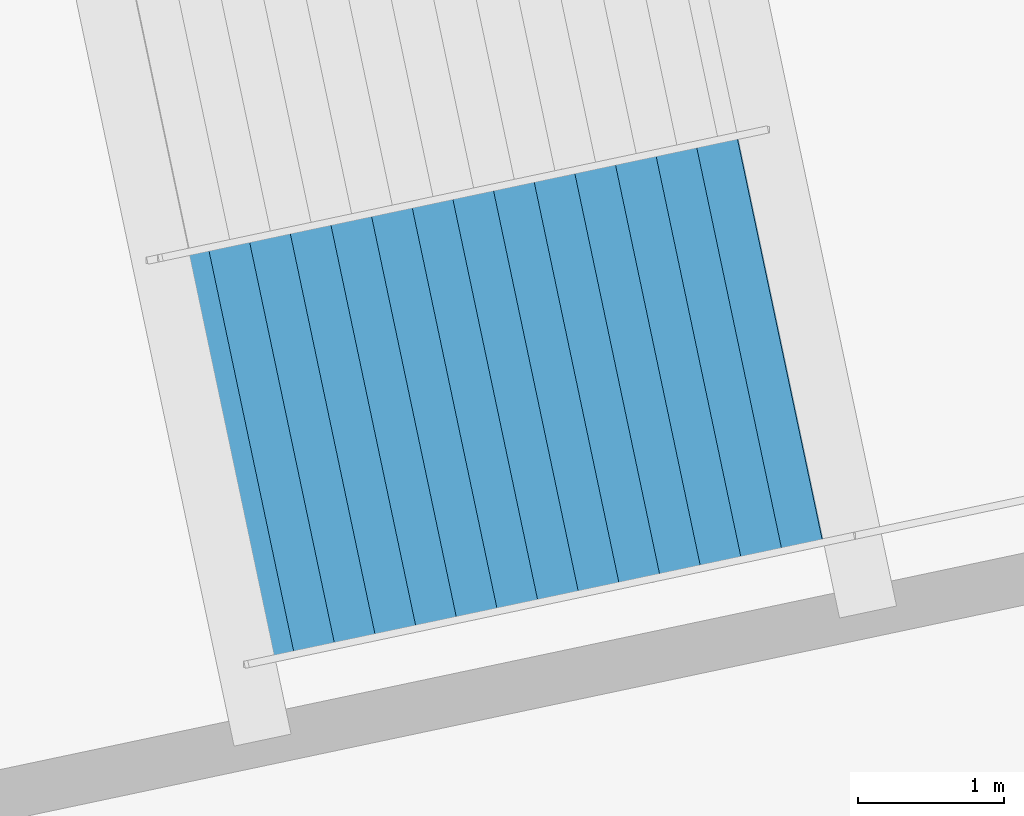
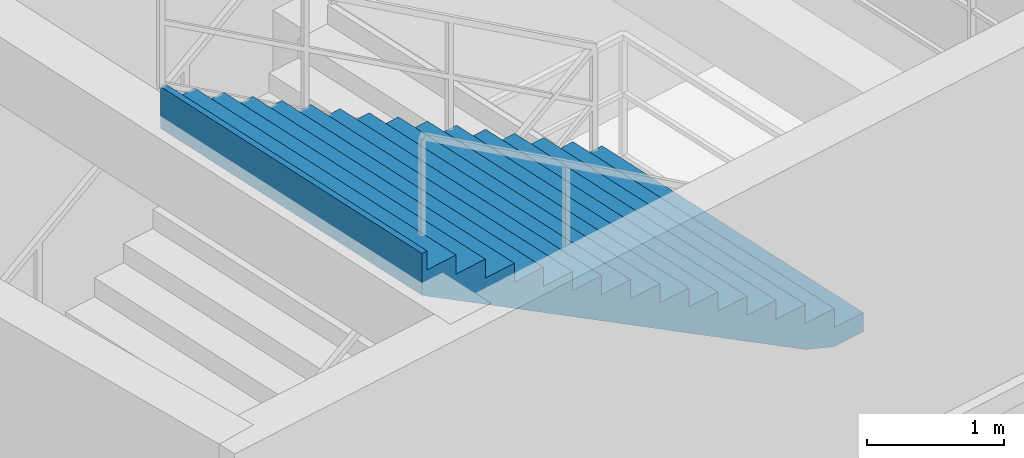
# One storey, part 85 of 103: 1 stair flight, 1 element without a shape of its own.
"""IFC4 building model written with IfcOpenShell, lengths in metres."""

from ifc_helpers import new_model, si_unit, direction, frame, origin, place, context, subcontext, project, spatial, polygons, material, type_object, element, aggregate, save


model = new_model("IFC4")

# Units and contexts
model_context = context("Model", 3, precision=1e-05, world=origin(), true_north=direction((0.0, 1.0)))
body_context = subcontext(model_context, "Body", "Model", "MODEL_VIEW")
ifc_project = project(units=[si_unit("LENGTHUNIT", "METRE"), si_unit("AREAUNIT", "SQUARE_METRE"), si_unit("VOLUMEUNIT", "CUBIC_METRE"), si_unit("PLANEANGLEUNIT", "RADIAN"), si_unit("MASSUNIT", "GRAM", prefix="KILO")], contexts=[model_context])

# Site, building, storey
site_placement = place(None, origin())
site = spatial("IfcSite", under=ifc_project, at=site_placement, CompositionType="ELEMENT")
building_placement = place(site_placement, origin())
building = spatial("IfcBuilding", under=site, at=building_placement, Name="Kazemori Nagisa Stadium", CompositionType="ELEMENT")
storey_placement = place(building_placement, frame((0.0, 0.0, 25.840087890625)))
storey = spatial("IfcBuildingStorey", under=building, at=storey_placement, Name="L05", CompositionType="ELEMENT", Elevation=25.840087890625)

# Stair, stair flight
ifc_material = material(Name="Concrete C36/45 (Fc36)", Category="concrete")
stair_type = type_object("IfcStairType", Name="Stair_CORE_32", PredefinedType="TWO_STRAIGHT_RUN_STAIR", material=ifc_material)
stair_placement = place(storey_placement, origin())
stair = element("IfcStair", 1, at=stair_placement, inside=storey, type_object=stair_type, Name="Exit stair ST06 L05", PredefinedType="TWO_STRAIGHT_RUN_STAIR")
stair_flight_type = type_object("IfcStairFlightType", Name="Flight_CORE_16", PredefinedType="STRAIGHT", material=ifc_material)
stair_flight_placement = place(storey_placement, frame((150.89306640625, 23.06591796875, 2.719970703125), z_axis=(0.0, 0.0, 1.0), x_axis=(-0.97834814647, -0.206965949612, 0.0)))
stair_flight = element("IfcStairFlight", 2, at=stair_flight_placement, type_object=stair_flight_type, Name="Exit stair ST06 L05 flight 2", NumberOfRisers=16, NumberOfTreads=15, PredefinedType="STRAIGHT", RiserHeight=0.17, TreadLength=0.285, context=body_context, shape_type="Tessellation", body=[
    polygons([(0.0, -1.425048828125, 0.0), (0.0, -1.425048828125, 0.169921875), (0.284912109375, -1.425048828125, 0.169921875), (0.284912109375, -1.425048828125, 0.340087890625), (0.570068359375, -1.425048828125, 0.340087890625), (0.570068359375, -1.425048828125, 0.510009765625), (0.85498046875, -1.425048828125, 0.510009765625), (0.85498046875, -1.425048828125, 0.679931640625), (1.139892578125, -1.425048828125, 0.679931640625), (1.139892578125, -1.425048828125, 0.85009765625), (1.425048828125, -1.425048828125, 0.85009765625), (1.425048828125, -1.425048828125, 1.02001953125), (1.7099609375, -1.425048828125, 1.02001953125), (1.7099609375, -1.425048828125, 1.18994140625), (1.9951171875, -1.425048828125, 1.18994140625), (1.9951171875, -1.425048828125, 1.360107421875), (2.280029296875, -1.425048828125, 1.360107421875), (2.280029296875, -1.425048828125, 1.530029296875), (2.56494140625, -1.425048828125, 1.530029296875), (2.56494140625, -1.425048828125, 1.699951171875), (2.85009765625, -1.425048828125, 1.699951171875), (2.85009765625, -1.425048828125, 1.8701171875), (3.135009765625, -1.425048828125, 1.8701171875), (3.135009765625, -1.425048828125, 2.0400390625), (3.419921875, -1.425048828125, 2.0400390625), (3.419921875, -1.425048828125, 2.2099609375), (3.705078125, -1.425048828125, 2.2099609375), (3.705078125, -1.425048828125, 2.3798828125), (3.989990234375, -1.425048828125, 2.3798828125), (3.989990234375, -1.425048828125, 2.550048828125), (4.27490234375, -1.425048828125, 2.550048828125), (4.27490234375, -1.425048828125, 2.719970703125), (4.324951171875, -1.425048828125, 2.719970703125), (4.324951171875, -1.425048828125, 2.346923828125), (4.27490234375, -1.425048828125, 2.317138671875), (3.989990234375, -1.425048828125, 2.147216796875), (3.705078125, -1.425048828125, 1.977294921875), (3.419921875, -1.425048828125, 1.80712890625), (3.135009765625, -1.425048828125, 1.63720703125), (2.85009765625, -1.425048828125, 1.46728515625), (2.56494140625, -1.425048828125, 1.297119140625), (2.280029296875, -1.425048828125, 1.127197265625), (1.9951171875, -1.425048828125, 0.957275390625), (1.7099609375, -1.425048828125, 0.787109375), (1.425048828125, -1.425048828125, 0.6171875), (1.139892578125, -1.425048828125, 0.447265625), (0.85498046875, -1.425048828125, 0.277099609375), (0.570068359375, -1.425048828125, 0.107177734375), (0.284912109375, -1.425048828125, 0.0), (0.0, -0.08544921875, 0.0), (0.0, -0.08544921875, 0.169921875), (0.284912109375, -0.08544921875, 0.169921875), (0.284912109375, -0.08544921875, 0.340087890625), (0.570068359375, -0.08544921875, 0.340087890625), (0.570068359375, -0.08544921875, 0.510009765625), (0.85498046875, -0.08544921875, 0.510009765625), (0.85498046875, -0.08544921875, 0.679931640625), (1.139892578125, -0.08544921875, 0.679931640625), (1.139892578125, -0.08544921875, 0.85009765625), (1.425048828125, -0.08544921875, 0.85009765625), (1.425048828125, -0.08544921875, 1.02001953125), (1.7099609375, -0.08544921875, 1.02001953125), (1.7099609375, -0.08544921875, 1.18994140625), (1.9951171875, -0.08544921875, 1.18994140625), (1.9951171875, -0.08544921875, 1.360107421875), (2.280029296875, -0.08544921875, 1.360107421875), (2.280029296875, -0.08544921875, 1.530029296875), (2.56494140625, -0.08544921875, 1.530029296875), (2.56494140625, -0.08544921875, 1.699951171875), (2.85009765625, -0.08544921875, 1.699951171875), (2.85009765625, -0.08544921875, 1.8701171875), (3.135009765625, -0.08544921875, 1.8701171875), (3.135009765625, -0.08544921875, 2.0400390625), (3.419921875, -0.08544921875, 2.0400390625), (3.419921875, -0.08544921875, 2.2099609375), (3.705078125, -0.08544921875, 2.2099609375), (3.705078125, -0.08544921875, 2.3798828125), (3.989990234375, -0.08544921875, 2.3798828125), (3.989990234375, -0.08544921875, 2.550048828125), (4.27490234375, -0.08544921875, 2.550048828125), (4.27490234375, -0.08544921875, 2.719970703125), (4.324951171875, -0.08544921875, 2.719970703125), (4.324951171875, -0.08544921875, 2.346923828125), (4.27490234375, -0.08544921875, 2.317138671875), (3.989990234375, -0.08544921875, 2.147216796875), (3.705078125, -0.08544921875, 1.977294921875), (3.419921875, -0.08544921875, 1.80712890625), (3.135009765625, -0.08544921875, 1.63720703125), (2.85009765625, -0.08544921875, 1.46728515625), (2.56494140625, -0.08544921875, 1.297119140625), (2.280029296875, -0.08544921875, 1.127197265625), (1.9951171875, -0.08544921875, 0.957275390625), (1.7099609375, -0.08544921875, 0.787109375), (1.425048828125, -0.08544921875, 0.6171875), (1.139892578125, -0.08544921875, 0.447265625), (0.85498046875, -0.08544921875, 0.277099609375), (0.570068359375, -0.08544921875, 0.107177734375), (0.284912109375, -0.08544921875, 0.0), (0.0, 0.0, 0.0), (0.0, 0.0, 0.169921875), (0.284912109375, 0.0, 0.169921875), (0.284912109375, 0.0, 0.340087890625), (0.570068359375, 0.0, 0.340087890625), (0.570068359375, 0.0, 0.510009765625), (0.85498046875, 0.0, 0.510009765625), (0.85498046875, 0.0, 0.679931640625), (1.139892578125, 0.0, 0.679931640625), (1.139892578125, 0.0, 0.85009765625), (1.425048828125, 0.0, 0.85009765625), (1.425048828125, 0.0, 1.02001953125), (1.7099609375, 0.0, 1.02001953125), (1.7099609375, 0.0, 1.18994140625), (1.9951171875, 0.0, 1.18994140625), (1.9951171875, 0.0, 1.360107421875), (2.280029296875, 0.0, 1.360107421875), (2.280029296875, 0.0, 1.530029296875), (2.56494140625, 0.0, 1.530029296875), (2.56494140625, 0.0, 1.699951171875), (2.85009765625, 0.0, 1.699951171875), (2.85009765625, 0.0, 1.8701171875), (3.135009765625, 0.0, 1.8701171875), (3.135009765625, 0.0, 2.0400390625), (3.419921875, 0.0, 2.0400390625), (3.419921875, 0.0, 2.2099609375), (3.705078125, 0.0, 2.2099609375), (3.705078125, 0.0, 2.3798828125), (3.989990234375, 0.0, 2.3798828125), (3.989990234375, 0.0, 2.550048828125), (4.27490234375, 0.0, 2.550048828125), (4.27490234375, 0.0, 2.719970703125), (4.324951171875, 0.0, 2.719970703125), (4.324951171875, 0.0, 2.346923828125), (4.27490234375, 0.0, 2.317138671875), (3.989990234375, 0.0, 2.147216796875), (3.705078125, 0.0, 1.977294921875), (3.419921875, 0.0, 1.80712890625), (3.135009765625, 0.0, 1.63720703125), (2.85009765625, 0.0, 1.46728515625), (2.56494140625, 0.0, 1.297119140625), (2.280029296875, 0.0, 1.127197265625), (1.9951171875, 0.0, 0.957275390625), (1.7099609375, 0.0, 0.787109375), (1.425048828125, 0.0, 0.6171875), (1.139892578125, 0.0, 0.447265625), (0.85498046875, 0.0, 0.277099609375), (0.570068359375, 0.0, 0.107177734375), (0.284912109375, 0.0, 0.0), (0.0, 0.08544921875, 0.0), (0.0, 0.08544921875, 0.169921875), (0.284912109375, 0.08544921875, 0.169921875), (0.284912109375, 0.08544921875, 0.340087890625), (0.570068359375, 0.08544921875, 0.340087890625), (0.570068359375, 0.08544921875, 0.510009765625), (0.85498046875, 0.08544921875, 0.510009765625), (0.85498046875, 0.08544921875, 0.679931640625), (1.139892578125, 0.08544921875, 0.679931640625), (1.139892578125, 0.08544921875, 0.85009765625), (1.425048828125, 0.08544921875, 0.85009765625), (1.425048828125, 0.08544921875, 1.02001953125), (1.7099609375, 0.08544921875, 1.02001953125), (1.7099609375, 0.08544921875, 1.18994140625), (1.9951171875, 0.08544921875, 1.18994140625), (1.9951171875, 0.08544921875, 1.360107421875), (2.280029296875, 0.08544921875, 1.360107421875), (2.280029296875, 0.08544921875, 1.530029296875), (2.56494140625, 0.08544921875, 1.530029296875), (2.56494140625, 0.08544921875, 1.699951171875), (2.85009765625, 0.08544921875, 1.699951171875), (2.85009765625, 0.08544921875, 1.8701171875), (3.135009765625, 0.08544921875, 1.8701171875), (3.135009765625, 0.08544921875, 2.0400390625), (3.419921875, 0.08544921875, 2.0400390625), (3.419921875, 0.08544921875, 2.2099609375), (3.705078125, 0.08544921875, 2.2099609375), (3.705078125, 0.08544921875, 2.3798828125), (3.989990234375, 0.08544921875, 2.3798828125), (3.989990234375, 0.08544921875, 2.550048828125), (4.27490234375, 0.08544921875, 2.550048828125), (4.27490234375, 0.08544921875, 2.719970703125), (4.324951171875, 0.08544921875, 2.719970703125), (4.324951171875, 0.08544921875, 2.346923828125), (4.27490234375, 0.08544921875, 2.317138671875), (3.989990234375, 0.08544921875, 2.147216796875), (3.705078125, 0.08544921875, 1.977294921875), (3.419921875, 0.08544921875, 1.80712890625), (3.135009765625, 0.08544921875, 1.63720703125), (2.85009765625, 0.08544921875, 1.46728515625), (2.56494140625, 0.08544921875, 1.297119140625), (2.280029296875, 0.08544921875, 1.127197265625), (1.9951171875, 0.08544921875, 0.957275390625), (1.7099609375, 0.08544921875, 0.787109375), (1.425048828125, 0.08544921875, 0.6171875), (1.139892578125, 0.08544921875, 0.447265625), (0.85498046875, 0.08544921875, 0.277099609375), (0.570068359375, 0.08544921875, 0.107177734375), (0.284912109375, 0.08544921875, 0.0), (0.0, 1.425048828125, 0.0), (0.0, 1.425048828125, 0.169921875), (0.284912109375, 1.425048828125, 0.169921875), (0.284912109375, 1.425048828125, 0.340087890625), (0.570068359375, 1.425048828125, 0.340087890625), (0.570068359375, 1.425048828125, 0.510009765625), (0.85498046875, 1.425048828125, 0.510009765625), (0.85498046875, 1.425048828125, 0.679931640625), (1.139892578125, 1.425048828125, 0.679931640625), (1.139892578125, 1.425048828125, 0.85009765625), (1.425048828125, 1.425048828125, 0.85009765625), (1.425048828125, 1.425048828125, 1.02001953125), (1.7099609375, 1.425048828125, 1.02001953125), (1.7099609375, 1.425048828125, 1.18994140625), (1.9951171875, 1.425048828125, 1.18994140625), (1.9951171875, 1.425048828125, 1.360107421875), (2.280029296875, 1.425048828125, 1.360107421875), (2.280029296875, 1.425048828125, 1.530029296875), (2.56494140625, 1.425048828125, 1.530029296875), (2.56494140625, 1.425048828125, 1.699951171875), (2.85009765625, 1.425048828125, 1.699951171875), (2.85009765625, 1.425048828125, 1.8701171875), (3.135009765625, 1.425048828125, 1.8701171875), (3.135009765625, 1.425048828125, 2.0400390625), (3.419921875, 1.425048828125, 2.0400390625), (3.419921875, 1.425048828125, 2.2099609375), (3.705078125, 1.425048828125, 2.2099609375), (3.705078125, 1.425048828125, 2.3798828125), (3.989990234375, 1.425048828125, 2.3798828125), (3.989990234375, 1.425048828125, 2.550048828125), (4.27490234375, 1.425048828125, 2.550048828125), (4.27490234375, 1.425048828125, 2.719970703125), (4.324951171875, 1.425048828125, 2.719970703125), (4.324951171875, 1.425048828125, 2.346923828125), (4.27490234375, 1.425048828125, 2.317138671875), (3.989990234375, 1.425048828125, 2.147216796875), (3.705078125, 1.425048828125, 1.977294921875), (3.419921875, 1.425048828125, 1.80712890625), (3.135009765625, 1.425048828125, 1.63720703125), (2.85009765625, 1.425048828125, 1.46728515625), (2.56494140625, 1.425048828125, 1.297119140625), (2.280029296875, 1.425048828125, 1.127197265625), (1.9951171875, 1.425048828125, 0.957275390625), (1.7099609375, 1.425048828125, 0.787109375), (1.425048828125, 1.425048828125, 0.6171875), (1.139892578125, 1.425048828125, 0.447265625), (0.85498046875, 1.425048828125, 0.277099609375), (0.570068359375, 1.425048828125, 0.107177734375), (0.284912109375, 1.425048828125, 0.0)], [[[1, 2, 51]], [[1, 51, 50]], [[2, 3, 52]], [[2, 52, 51]], [[3, 4, 53]], [[3, 53, 52]], [[4, 5, 54]], [[4, 54, 53]], [[5, 6, 55]], [[5, 55, 54]], [[6, 7, 56]], [[6, 56, 55]], [[7, 8, 57]], [[7, 57, 56]], [[8, 9, 58]], [[8, 58, 57]], [[9, 10, 59]], [[9, 59, 58]], [[10, 11, 60]], [[10, 60, 59]], [[11, 12, 61]], [[11, 61, 60]], [[12, 13, 62]], [[12, 62, 61]], [[13, 14, 63]], [[13, 63, 62]], [[14, 15, 64]], [[14, 64, 63]], [[15, 16, 65]], [[15, 65, 64]], [[16, 17, 66]], [[16, 66, 65]], [[17, 18, 67]], [[17, 67, 66]], [[18, 19, 68]], [[18, 68, 67]], [[19, 20, 69]], [[19, 69, 68]], [[20, 21, 70]], [[20, 70, 69]], [[21, 22, 71]], [[21, 71, 70]], [[22, 23, 72]], [[22, 72, 71]], [[23, 24, 73]], [[23, 73, 72]], [[24, 25, 74]], [[24, 74, 73]], [[25, 26, 75]], [[25, 75, 74]], [[26, 27, 76]], [[26, 76, 75]], [[27, 28, 77]], [[27, 77, 76]], [[28, 29, 78]], [[28, 78, 77]], [[29, 30, 79]], [[29, 79, 78]], [[30, 31, 80]], [[30, 80, 79]], [[31, 32, 81]], [[31, 81, 80]], [[32, 33, 82]], [[32, 82, 81]], [[33, 34, 83]], [[33, 83, 82]], [[34, 35, 84]], [[34, 84, 83]], [[35, 36, 85]], [[35, 85, 84]], [[36, 37, 86]], [[36, 86, 85]], [[37, 38, 87]], [[37, 87, 86]], [[38, 39, 88]], [[38, 88, 87]], [[39, 40, 89]], [[39, 89, 88]], [[40, 41, 90]], [[40, 90, 89]], [[41, 42, 91]], [[41, 91, 90]], [[42, 43, 92]], [[42, 92, 91]], [[43, 44, 93]], [[43, 93, 92]], [[44, 45, 94]], [[44, 94, 93]], [[45, 46, 95]], [[45, 95, 94]], [[46, 47, 96]], [[46, 96, 95]], [[47, 48, 97]], [[47, 97, 96]], [[48, 49, 98]], [[48, 98, 97]], [[49, 1, 50]], [[49, 50, 98]], [[50, 51, 100]], [[50, 100, 99]], [[51, 52, 101]], [[51, 101, 100]], [[52, 53, 102]], [[52, 102, 101]], [[53, 54, 103]], [[53, 103, 102]], [[54, 55, 104]], [[54, 104, 103]], [[55, 56, 105]], [[55, 105, 104]], [[56, 57, 106]], [[56, 106, 105]], [[57, 58, 107]], [[57, 107, 106]], [[58, 59, 108]], [[58, 108, 107]], [[59, 60, 109]], [[59, 109, 108]], [[60, 61, 110]], [[60, 110, 109]], [[61, 62, 111]], [[61, 111, 110]], [[62, 63, 112]], [[62, 112, 111]], [[63, 64, 113]], [[63, 113, 112]], [[64, 65, 114]], [[64, 114, 113]], [[65, 66, 115]], [[65, 115, 114]], [[66, 67, 116]], [[66, 116, 115]], [[67, 68, 117]], [[67, 117, 116]], [[68, 69, 118]], [[68, 118, 117]], [[69, 70, 119]], [[69, 119, 118]], [[70, 71, 120]], [[70, 120, 119]], [[71, 72, 121]], [[71, 121, 120]], [[72, 73, 122]], [[72, 122, 121]], [[73, 74, 123]], [[73, 123, 122]], [[74, 75, 124]], [[74, 124, 123]], [[75, 76, 125]], [[75, 125, 124]], [[76, 77, 126]], [[76, 126, 125]], [[77, 78, 127]], [[77, 127, 126]], [[78, 79, 128]], [[78, 128, 127]], [[79, 80, 129]], [[79, 129, 128]], [[80, 81, 130]], [[80, 130, 129]], [[81, 82, 131]], [[81, 131, 130]], [[82, 83, 132]], [[82, 132, 131]], [[83, 84, 133]], [[83, 133, 132]], [[84, 85, 134]], [[84, 134, 133]], [[85, 86, 135]], [[85, 135, 134]], [[86, 87, 136]], [[86, 136, 135]], [[87, 88, 137]], [[87, 137, 136]], [[88, 89, 138]], [[88, 138, 137]], [[89, 90, 139]], [[89, 139, 138]], [[90, 91, 140]], [[90, 140, 139]], [[91, 92, 141]], [[91, 141, 140]], [[92, 93, 142]], [[92, 142, 141]], [[93, 94, 143]], [[93, 143, 142]], [[94, 95, 144]], [[94, 144, 143]], [[95, 96, 145]], [[95, 145, 144]], [[96, 97, 146]], [[96, 146, 145]], [[97, 98, 147]], [[97, 147, 146]], [[98, 50, 99]], [[98, 99, 147]], [[99, 100, 149]], [[99, 149, 148]], [[100, 101, 150]], [[100, 150, 149]], [[101, 102, 151]], [[101, 151, 150]], [[102, 103, 152]], [[102, 152, 151]], [[103, 104, 153]], [[103, 153, 152]], [[104, 105, 154]], [[104, 154, 153]], [[105, 106, 155]], [[105, 155, 154]], [[106, 107, 156]], [[106, 156, 155]], [[107, 108, 157]], [[107, 157, 156]], [[108, 109, 158]], [[108, 158, 157]], [[109, 110, 159]], [[109, 159, 158]], [[110, 111, 160]], [[110, 160, 159]], [[111, 112, 161]], [[111, 161, 160]], [[112, 113, 162]], [[112, 162, 161]], [[113, 114, 163]], [[113, 163, 162]], [[114, 115, 164]], [[114, 164, 163]], [[115, 116, 165]], [[115, 165, 164]], [[116, 117, 166]], [[116, 166, 165]], [[117, 118, 167]], [[117, 167, 166]], [[118, 119, 168]], [[118, 168, 167]], [[119, 120, 169]], [[119, 169, 168]], [[120, 121, 170]], [[120, 170, 169]], [[121, 122, 171]], [[121, 171, 170]], [[122, 123, 172]], [[122, 172, 171]], [[123, 124, 173]], [[123, 173, 172]], [[124, 125, 174]], [[124, 174, 173]], [[125, 126, 175]], [[125, 175, 174]], [[126, 127, 176]], [[126, 176, 175]], [[127, 128, 177]], [[127, 177, 176]], [[128, 129, 178]], [[128, 178, 177]], [[129, 130, 179]], [[129, 179, 178]], [[130, 131, 180]], [[130, 180, 179]], [[131, 132, 181]], [[131, 181, 180]], [[132, 133, 182]], [[132, 182, 181]], [[133, 134, 183]], [[133, 183, 182]], [[134, 135, 184]], [[134, 184, 183]], [[135, 136, 185]], [[135, 185, 184]], [[136, 137, 186]], [[136, 186, 185]], [[137, 138, 187]], [[137, 187, 186]], [[138, 139, 188]], [[138, 188, 187]], [[139, 140, 189]], [[139, 189, 188]], [[140, 141, 190]], [[140, 190, 189]], [[141, 142, 191]], [[141, 191, 190]], [[142, 143, 192]], [[142, 192, 191]], [[143, 144, 193]], [[143, 193, 192]], [[144, 145, 194]], [[144, 194, 193]], [[145, 146, 195]], [[145, 195, 194]], [[146, 147, 196]], [[146, 196, 195]], [[147, 99, 148]], [[147, 148, 196]], [[148, 149, 198]], [[148, 198, 197]], [[149, 150, 199]], [[149, 199, 198]], [[150, 151, 200]], [[150, 200, 199]], [[151, 152, 201]], [[151, 201, 200]], [[152, 153, 202]], [[152, 202, 201]], [[153, 154, 203]], [[153, 203, 202]], [[154, 155, 204]], [[154, 204, 203]], [[155, 156, 205]], [[155, 205, 204]], [[156, 157, 206]], [[156, 206, 205]], [[157, 158, 207]], [[157, 207, 206]], [[158, 159, 208]], [[158, 208, 207]], [[159, 160, 209]], [[159, 209, 208]], [[160, 161, 210]], [[160, 210, 209]], [[161, 162, 211]], [[161, 211, 210]], [[162, 163, 212]], [[162, 212, 211]], [[163, 164, 213]], [[163, 213, 212]], [[164, 165, 214]], [[164, 214, 213]], [[165, 166, 215]], [[165, 215, 214]], [[166, 167, 216]], [[166, 216, 215]], [[167, 168, 217]], [[167, 217, 216]], [[168, 169, 218]], [[168, 218, 217]], [[169, 170, 219]], [[169, 219, 218]], [[170, 171, 220]], [[170, 220, 219]], [[171, 172, 221]], [[171, 221, 220]], [[172, 173, 222]], [[172, 222, 221]], [[173, 174, 223]], [[173, 223, 222]], [[174, 175, 224]], [[174, 224, 223]], [[175, 176, 225]], [[175, 225, 224]], [[176, 177, 226]], [[176, 226, 225]], [[177, 178, 227]], [[177, 227, 226]], [[178, 179, 228]], [[178, 228, 227]], [[179, 180, 229]], [[179, 229, 228]], [[180, 181, 230]], [[180, 230, 229]], [[181, 182, 231]], [[181, 231, 230]], [[182, 183, 232]], [[182, 232, 231]], [[183, 184, 233]], [[183, 233, 232]], [[184, 185, 234]], [[184, 234, 233]], [[185, 186, 235]], [[185, 235, 234]], [[186, 187, 236]], [[186, 236, 235]], [[187, 188, 237]], [[187, 237, 236]], [[188, 189, 238]], [[188, 238, 237]], [[189, 190, 239]], [[189, 239, 238]], [[190, 191, 240]], [[190, 240, 239]], [[191, 192, 241]], [[191, 241, 240]], [[192, 193, 242]], [[192, 242, 241]], [[193, 194, 243]], [[193, 243, 242]], [[194, 195, 244]], [[194, 244, 243]], [[195, 196, 245]], [[195, 245, 244]], [[196, 148, 197]], [[196, 197, 245]], [[3, 2, 1]], [[197, 198, 199]], [[49, 3, 1]], [[197, 199, 245]], [[48, 3, 49]], [[245, 199, 244]], [[5, 3, 48]], [[244, 199, 201]], [[5, 4, 3]], [[199, 200, 201]], [[47, 5, 48]], [[244, 201, 243]], [[7, 5, 47]], [[243, 201, 203]], [[7, 6, 5]], [[201, 202, 203]], [[46, 7, 47]], [[243, 203, 242]], [[9, 7, 46]], [[242, 203, 205]], [[9, 8, 7]], [[203, 204, 205]], [[45, 9, 46]], [[242, 205, 241]], [[11, 9, 45]], [[241, 205, 207]], [[11, 10, 9]], [[205, 206, 207]], [[44, 11, 45]], [[241, 207, 240]], [[13, 11, 44]], [[240, 207, 209]], [[13, 12, 11]], [[207, 208, 209]], [[43, 13, 44]], [[240, 209, 239]], [[15, 13, 43]], [[239, 209, 211]], [[15, 14, 13]], [[209, 210, 211]], [[42, 15, 43]], [[239, 211, 238]], [[17, 15, 42]], [[238, 211, 213]], [[17, 16, 15]], [[211, 212, 213]], [[41, 17, 42]], [[238, 213, 237]], [[19, 17, 41]], [[237, 213, 215]], [[19, 18, 17]], [[213, 214, 215]], [[40, 19, 41]], [[237, 215, 236]], [[21, 19, 40]], [[236, 215, 217]], [[21, 20, 19]], [[215, 216, 217]], [[39, 21, 40]], [[236, 217, 235]], [[23, 21, 39]], [[235, 217, 219]], [[23, 22, 21]], [[217, 218, 219]], [[38, 23, 39]], [[235, 219, 234]], [[25, 23, 38]], [[234, 219, 221]], [[25, 24, 23]], [[219, 220, 221]], [[37, 25, 38]], [[234, 221, 233]], [[27, 25, 37]], [[233, 221, 223]], [[27, 26, 25]], [[221, 222, 223]], [[36, 27, 37]], [[233, 223, 232]], [[29, 27, 36]], [[232, 223, 225]], [[29, 28, 27]], [[223, 224, 225]], [[35, 29, 36]], [[232, 225, 231]], [[31, 29, 35]], [[231, 225, 227]], [[31, 30, 29]], [[225, 226, 227]], [[34, 31, 35]], [[231, 227, 230]], [[33, 31, 34]], [[230, 227, 229]], [[33, 32, 31]], [[227, 228, 229]]], closed=True),
])
aggregate(stair, [stair_flight])

save(model, "model.ifc")
